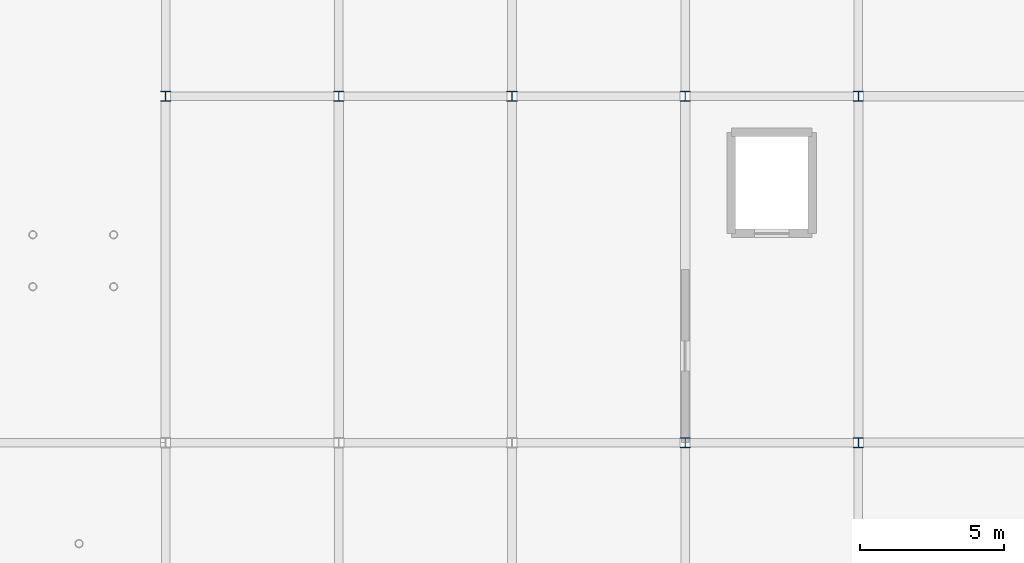
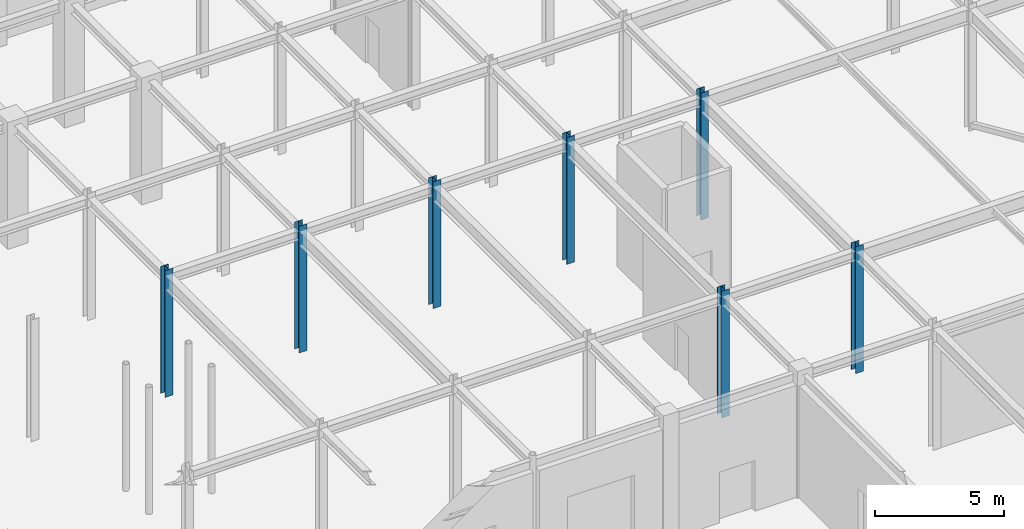
# One storey, part 10 of 51: 7 columns.
"""IFC4 building model written with IfcOpenShell, lengths in metres."""

from ifc_helpers import new_model, si_unit, direction, frame, origin, origin_2d, place, context, subcontext, project, spatial, i_section, extrude, material, material_profile, profile_set, type_object, element, save


model = new_model("IFC4")

# Units and contexts
model_context = context("Model", 3, precision=1e-05, world=origin(), true_north=direction((0.0, 1.0)))
body_context = subcontext(model_context, "Body", "Model", "MODEL_VIEW")
ifc_project = project(units=[si_unit("LENGTHUNIT", "METRE"), si_unit("AREAUNIT", "SQUARE_METRE"), si_unit("VOLUMEUNIT", "CUBIC_METRE"), si_unit("PLANEANGLEUNIT", "RADIAN"), si_unit("MASSUNIT", "GRAM", prefix="KILO")], contexts=[model_context])

# Site, building, storey
site_placement = place(None, origin())
site = spatial("IfcSite", under=ifc_project, at=site_placement, CompositionType="ELEMENT")
building_placement = place(site_placement, origin())
building = spatial("IfcBuilding", under=site, at=building_placement, Name="Zlatovratsky Civic Hall", CompositionType="ELEMENT")
storey_placement = place(building_placement, origin())
storey = spatial("IfcBuildingStorey", under=building, at=storey_placement, Name="L01", CompositionType="ELEMENT", Elevation=0.0)

# Columns
ifc_material = material(Name="Steel S355", Category="steel")
ifc_material_profile = material_profile(ifc_material, i_section(OverallWidth=0.35009765625, OverallDepth=0.343017578125, WebThickness=0.010009765625, FlangeThickness=0.014892578125, FilletRadius=0.02001953125, at=origin_2d()), Name="35K1")
ifc_profile_set = profile_set([ifc_material_profile], Name="Steel S355")
column_type = type_object("IfcColumnType", Name="Col_Steel_35K1", PredefinedType="COLUMN", material=ifc_profile_set)
for number, where, z_axis, x_axis, name in (
    (1, (114.0, 18.0, 0.0), (0.0, 0.0, 1.0), (1.0, 0.0, 0.0), "CL-0470"),
    (2, (120.0, 18.0, 0.0), (0.0, 0.0, 1.0), (1.0, 0.0, 0.0), "CL-0471"),
    (3, (96.0, 30.0, 0.0), (0.0, 0.0, 1.0), (1.0, 0.0, 0.0), "CL-0490"),
    (4, (102.0, 30.0, 0.0), (0.0, 0.0, 1.0), (1.0, 0.0, 0.0), "CL-0491"),
    (5, (108.0, 30.0, 0.0), (0.0, 0.0, 1.0), (1.0, 0.0, 0.0), "CL-0492"),
    (6, (114.0, 30.0, 0.0), (0.0, 0.0, 1.0), (1.0, 0.0, 0.0), "CL-0493"),
    (7, (120.0, 30.0, 0.0), (0.0, 0.0, 1.0), (1.0, 0.0, 0.0), "CL-0494"),
):
    element("IfcColumn", number, at=place(storey_placement, frame(where, z_axis=z_axis, x_axis=x_axis)), inside=storey, type_object=column_type, Name=name, PredefinedType="COLUMN", context=body_context, shape_type="SweptSolid", body=[
        extrude(i_section(OverallWidth=0.35009765625, OverallDepth=0.343017578125, WebThickness=0.010009765625, FlangeThickness=0.014892578125, FilletRadius=0.02001953125, at=origin_2d()), origin(), (0.0, 0.0, 1.0), 6.0),
    ])

save(model, "model.ifc")
